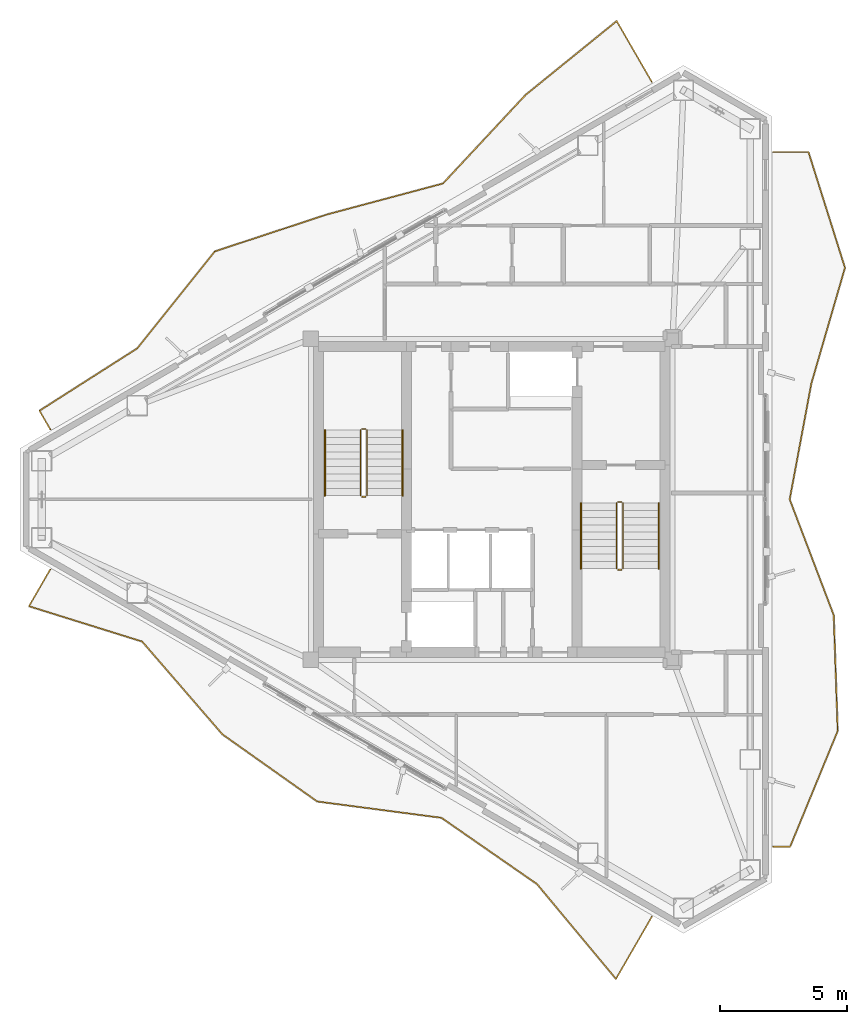
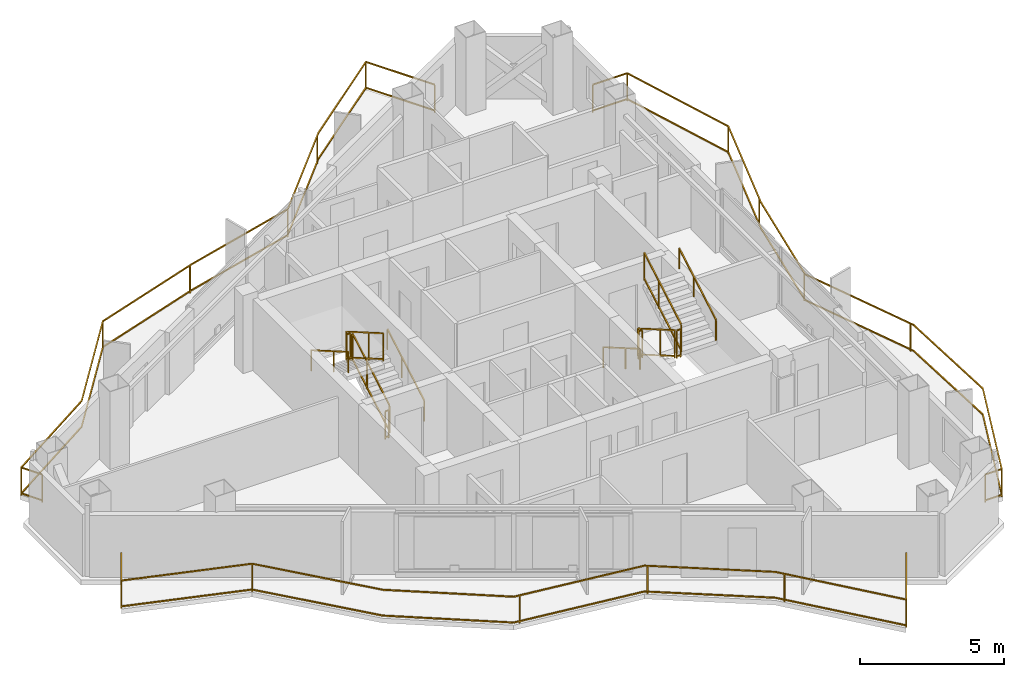
# One storey, part 18 of 18: 15 railings.
"""IFC4 building model written with IfcOpenShell, lengths in metres."""

from ifc_helpers import new_model, si_unit, direction, frame, origin, origin_2d, place, context, subcontext, project, spatial, rectangle, extrude, material, type_object, element, save


model = new_model("IFC4")

# Units and contexts
model_context = context("Model", 3, precision=1e-05, world=origin(), true_north=direction((0.0, 1.0)))
body_context = subcontext(model_context, "Body", "Model", "MODEL_VIEW")
ifc_project = project(units=[si_unit("LENGTHUNIT", "METRE"), si_unit("AREAUNIT", "SQUARE_METRE"), si_unit("VOLUMEUNIT", "CUBIC_METRE"), si_unit("PLANEANGLEUNIT", "RADIAN"), si_unit("MASSUNIT", "GRAM", prefix="KILO")], contexts=[model_context])

# Site, building, storey
site_placement = place(None, origin())
site = spatial("IfcSite", under=ifc_project, at=site_placement, CompositionType="ELEMENT")
building_placement = place(site_placement, origin())
building = spatial("IfcBuilding", under=site, at=building_placement, Name="Mersakhor Tower and Convention Hall", CompositionType="ELEMENT")
storey_placement = place(building_placement, frame((0.0, 0.0, 246.300048828125)))
storey = spatial("IfcBuildingStorey", under=building, at=storey_placement, Name="L69", CompositionType="ELEMENT", Elevation=246.300048828125)

# Railings
ifc_material_1 = material(Name="Powder-coated galvanised steel and laminated glass balustrade", Category="steel")
railing_type_1 = type_object("IfcRailingType", Name="RL-BAL-1200", PredefinedType="BALUSTRADE", material=ifc_material_1)
railing_1_placement = place(storey_placement, frame((35.287841796875, 43.13134765625, 0.0)))
element("IfcRailing", 1, at=railing_1_placement, inside=storey, type_object=railing_type_1, Name="L69 Sinusoidal Balcony Balustrade F1", PredefinedType="BALUSTRADE", context=body_context, shape_type="SweptSolid", body=[
    extrude(rectangle(XDim=0.048095703125, YDim=0.048095703125, at=origin_2d()), frame((0.0, 0.0, 1.17578125), z_axis=(-0.500008091576, 0.86602073206, 0.0), x_axis=(-0.86602073206, -0.500008091576, 0.0)), (0.0, 0.0, 1.0), 2.76220703125),
    extrude(rectangle(XDim=0.048095703125, YDim=0.048095703125, at=origin_2d()), frame((0.0, 0.0, 0.080078125), z_axis=(-0.500008091576, 0.86602073206, 0.0), x_axis=(-0.86602073206, -0.500008091576, 0.0)), (0.0, 0.0, 1.0), 2.76220703125),
    extrude(rectangle(XDim=0.048095703125, YDim=0.048095703125, at=origin_2d()), frame((-1.381103515625, 2.39208984375, 1.17578125), z_axis=(-0.77694088046, -0.629573560651, 0.0), x_axis=(0.629573560651, -0.77694088046, 0.0)), (0.0, 0.0, 1.0), 4.602294921875),
    extrude(rectangle(XDim=0.048095703125, YDim=0.048095703125, at=origin_2d()), frame((-1.381103515625, 2.39208984375, 0.080078125), z_axis=(-0.77694088046, -0.629573560651, 0.0), x_axis=(0.629573560651, -0.77694088046, 0.0)), (0.0, 0.0, 1.0), 4.602294921875),
    extrude(rectangle(XDim=0.048095703125, YDim=0.048095703125, at=origin_2d()), frame((-4.956787109375, -0.50537109375, 1.17578125), z_axis=(-0.681836808073, -0.731504317934, 0.0), x_axis=(0.731504317934, -0.681836808073, 0.0)), (0.0, 0.0, 1.0), 4.753173828125),
    extrude(rectangle(XDim=0.048095703125, YDim=0.048095703125, at=origin_2d()), frame((-4.956787109375, -0.50537109375, 0.080078125), z_axis=(-0.681836808073, -0.731504317934, 0.0), x_axis=(0.731504317934, -0.681836808073, 0.0)), (0.0, 0.0, 1.0), 4.753173828125),
    extrude(rectangle(XDim=0.048095703125, YDim=0.048095703125, at=origin_2d()), frame((-8.19775390625, -3.982421875, 1.17578125), z_axis=(-0.966160001104, -0.257943505959, 0.0), x_axis=(0.257943505959, -0.966160001104, 0.0)), (0.0, 0.0, 1.0), 4.706787109375),
    extrude(rectangle(XDim=0.048095703125, YDim=0.048095703125, at=origin_2d()), frame((-8.19775390625, -3.982421875, 0.080078125), z_axis=(-0.966160001104, -0.257943505959, 0.0), x_axis=(0.257943505959, -0.966160001104, 0.0)), (0.0, 0.0, 1.0), 4.706787109375),
    extrude(rectangle(XDim=0.048095703125, YDim=0.048095703125, at=origin_2d()), frame((-12.745361328125, -5.196533203125, 1.17578125), z_axis=(-0.949854506073, -0.312692208559, 0.0), x_axis=(0.312692208559, -0.949854506073, 0.0)), (0.0, 0.0, 1.0), 4.643310546875),
    extrude(rectangle(XDim=0.048095703125, YDim=0.048095703125, at=origin_2d()), frame((-12.745361328125, -5.196533203125, 0.080078125), z_axis=(-0.949854506073, -0.312692208559, 0.0), x_axis=(0.312692208559, -0.949854506073, 0.0)), (0.0, 0.0, 1.0), 4.643310546875),
    extrude(rectangle(XDim=0.048095703125, YDim=0.048095703125, at=origin_2d()), frame((-17.15576171875, -6.6484375, 1.17578125), z_axis=(-0.624896390139, -0.780707692796, 0.0), x_axis=(0.780707692796, -0.624896390139, 0.0)), (0.0, 0.0, 1.0), 4.87939453125),
    extrude(rectangle(XDim=0.048095703125, YDim=0.048095703125, at=origin_2d()), frame((-17.15576171875, -6.6484375, 0.080078125), z_axis=(-0.624896390139, -0.780707692796, 0.0), x_axis=(0.780707692796, -0.624896390139, 0.0)), (0.0, 0.0, 1.0), 4.87939453125),
    extrude(rectangle(XDim=0.048095703125, YDim=0.048095703125, at=origin_2d()), frame((-20.204833984375, -10.457763671875, 1.17578125), z_axis=(-0.843051114182, -0.537833449013, 0.0), x_axis=(0.537833449013, -0.843051114182, 0.0)), (0.0, 0.0, 1.0), 4.5498046875),
    extrude(rectangle(XDim=0.048095703125, YDim=0.048095703125, at=origin_2d()), frame((-20.204833984375, -10.457763671875, 0.080078125), z_axis=(-0.843051114182, -0.537833449013, 0.0), x_axis=(0.537833449013, -0.843051114182, 0.0)), (0.0, 0.0, 1.0), 4.5498046875),
    extrude(rectangle(XDim=0.048095703125, YDim=0.048095703125, at=origin_2d()), frame((-24.04052734375, -12.90478515625, 1.17578125), z_axis=(0.499964420222, -0.866045944804, 0.0), x_axis=(0.866045944804, 0.499964420222, 0.0)), (0.0, 0.0, 1.0), 0.84423828125),
    extrude(rectangle(XDim=0.048095703125, YDim=0.048095703125, at=origin_2d()), frame((-24.04052734375, -12.90478515625, 0.080078125), z_axis=(0.499964420222, -0.866045944804, 0.0), x_axis=(0.866045944804, 0.499964420222, 0.0)), (0.0, 0.0, 1.0), 0.84423828125),
    extrude(rectangle(XDim=0.0419921875, YDim=0.0419921875, at=origin_2d()), origin(), (0.0, 0.0, 1.0), 1.15185546875),
    extrude(rectangle(XDim=0.0419921875, YDim=0.0419921875, at=origin_2d()), frame((-1.381103515625, 2.39208984375, 0.0)), (0.0, 0.0, 1.0), 1.15185546875),
    extrude(rectangle(XDim=0.0419921875, YDim=0.0419921875, at=origin_2d()), frame((-5.091552734375, -0.64990234375, 0.0)), (0.0, 0.0, 1.0), 1.15185546875),
    extrude(rectangle(XDim=0.0419921875, YDim=0.0419921875, at=origin_2d()), frame((-8.19775390625, -3.982421875, 0.0)), (0.0, 0.0, 1.0), 1.15185546875),
    extrude(rectangle(XDim=0.0419921875, YDim=0.0419921875, at=origin_2d()), frame((-12.833740234375, -5.2255859375, 0.0)), (0.0, 0.0, 1.0), 1.15185546875),
    extrude(rectangle(XDim=0.0419921875, YDim=0.0419921875, at=origin_2d()), frame((-17.15576171875, -6.6484375, 0.0)), (0.0, 0.0, 1.0), 1.15185546875),
    extrude(rectangle(XDim=0.0419921875, YDim=0.0419921875, at=origin_2d()), frame((-24.04052734375, -12.90478515625, 0.0)), (0.0, 0.0, 1.0), 1.15185546875),
    extrude(rectangle(XDim=0.0419921875, YDim=0.0419921875, at=origin_2d()), frame((-23.618408203125, -13.635986328125, 0.0)), (0.0, 0.0, 1.0), 1.15185546875),
])
railing_2_placement = place(storey_placement, frame((40.042724609375, 13.114013671875, 0.0)))
element("IfcRailing", 2, at=railing_2_placement, inside=storey, type_object=railing_type_1, Name="L69 Sinusoidal Balcony Balustrade F2", PredefinedType="BALUSTRADE", context=body_context, shape_type="SweptSolid", body=[
    extrude(rectangle(XDim=0.048095703125, YDim=0.048095703125, at=origin_2d()), frame((0.0, 0.0, 1.17578125), z_axis=(1.0, 0.0, 0.0), x_axis=(0.0, 1.0, 0.0)), (0.0, 0.0, 1.0), 0.6669921875),
    extrude(rectangle(XDim=0.048095703125, YDim=0.048095703125, at=origin_2d()), frame((0.0, 0.0, 0.080078125), z_axis=(1.0, 0.0, 0.0), x_axis=(0.0, 1.0, 0.0)), (0.0, 0.0, 1.0), 0.6669921875),
    extrude(rectangle(XDim=0.048095703125, YDim=0.048095703125, at=origin_2d()), frame((0.6669921875, 0.0, 1.17578125), z_axis=(0.380162517163, 0.924919704917, 0.0), x_axis=(-0.924919704917, 0.380162517163, 0.0)), (0.0, 0.0, 1.0), 4.9140625),
    extrude(rectangle(XDim=0.048095703125, YDim=0.048095703125, at=origin_2d()), frame((0.6669921875, 0.0, 0.080078125), z_axis=(0.380162517163, 0.924919704917, 0.0), x_axis=(-0.924919704917, 0.380162517163, 0.0)), (0.0, 0.0, 1.0), 4.9140625),
    extrude(rectangle(XDim=0.048095703125, YDim=0.048095703125, at=origin_2d()), frame((2.53515625, 4.545166015625, 1.17578125), z_axis=(-0.034515891496, 0.999404149098, 0.0), x_axis=(-0.999404149098, -0.034515891496, 0.0)), (0.0, 0.0, 1.0), 4.548095703125),
    extrude(rectangle(XDim=0.048095703125, YDim=0.048095703125, at=origin_2d()), frame((2.53515625, 4.545166015625, 0.080078125), z_axis=(-0.034515891496, 0.999404149098, 0.0), x_axis=(-0.999404149098, -0.034515891496, 0.0)), (0.0, 0.0, 1.0), 4.548095703125),
    extrude(rectangle(XDim=0.048095703125, YDim=0.048095703125, at=origin_2d()), frame((2.378173828125, 9.090576171875, 1.17578125), z_axis=(-0.355356388498, 0.934730890232, 0.0), x_axis=(-0.934730890232, -0.355356388498, 0.0)), (0.0, 0.0, 1.0), 4.86279296875),
    extrude(rectangle(XDim=0.048095703125, YDim=0.048095703125, at=origin_2d()), frame((2.378173828125, 9.090576171875, 0.080078125), z_axis=(-0.355356388498, 0.934730890232, 0.0), x_axis=(-0.934730890232, -0.355356388498, 0.0)), (0.0, 0.0, 1.0), 4.86279296875),
    extrude(rectangle(XDim=0.048095703125, YDim=0.048095703125, at=origin_2d()), frame((0.650146484375, 13.635986328125, 1.17578125), z_axis=(0.183682822024, 0.982985564946, 0.0), x_axis=(-0.982985564946, 0.183682822024, 0.0)), (0.0, 0.0, 1.0), 4.6240234375),
    extrude(rectangle(XDim=0.048095703125, YDim=0.048095703125, at=origin_2d()), frame((0.650146484375, 13.635986328125, 0.080078125), z_axis=(0.183682822024, 0.982985564946, 0.0), x_axis=(-0.982985564946, 0.183682822024, 0.0)), (0.0, 0.0, 1.0), 4.6240234375),
    extrude(rectangle(XDim=0.048095703125, YDim=0.048095703125, at=origin_2d()), frame((1.49951171875, 18.181396484375, 1.17578125), z_axis=(0.278989725793, 0.960294086674, 0.0), x_axis=(-0.960294086674, 0.278989725793, 0.0)), (0.0, 0.0, 1.0), 4.7333984375),
    extrude(rectangle(XDim=0.048095703125, YDim=0.048095703125, at=origin_2d()), frame((1.49951171875, 18.181396484375, 0.080078125), z_axis=(0.278989725793, 0.960294086674, 0.0), x_axis=(-0.960294086674, 0.278989725793, 0.0)), (0.0, 0.0, 1.0), 4.7333984375),
    extrude(rectangle(XDim=0.048095703125, YDim=0.048095703125, at=origin_2d()), frame((2.820068359375, 22.726806640625, 1.17578125), z_axis=(-0.300709641219, 0.953715739452, 0.0), x_axis=(-0.953715739452, -0.300709641219, 0.0)), (0.0, 0.0, 1.0), 4.765625),
    extrude(rectangle(XDim=0.048095703125, YDim=0.048095703125, at=origin_2d()), frame((2.820068359375, 22.726806640625, 0.080078125), z_axis=(-0.300709641219, 0.953715739452, 0.0), x_axis=(-0.953715739452, -0.300709641219, 0.0)), (0.0, 0.0, 1.0), 4.765625),
    extrude(rectangle(XDim=0.048095703125, YDim=0.048095703125, at=origin_2d()), frame((1.386962890625, 27.27197265625, 1.17578125), z_axis=(-1.0, 0.0, 0.0), x_axis=(0.0, -1.0, 0.0)), (0.0, 0.0, 1.0), 1.386962890625),
    extrude(rectangle(XDim=0.048095703125, YDim=0.048095703125, at=origin_2d()), frame((1.386962890625, 27.27197265625, 0.080078125), z_axis=(-1.0, 0.0, 0.0), x_axis=(0.0, -1.0, 0.0)), (0.0, 0.0, 1.0), 1.386962890625),
    extrude(rectangle(XDim=0.0419921875, YDim=0.0419921875, at=origin_2d()), origin(), (0.0, 0.0, 1.0), 1.15185546875),
    extrude(rectangle(XDim=0.0419921875, YDim=0.0419921875, at=origin_2d()), frame((0.6669921875, 0.0, 0.0)), (0.0, 0.0, 1.0), 1.15185546875),
    extrude(rectangle(XDim=0.0419921875, YDim=0.0419921875, at=origin_2d()), frame((2.3291015625, 9.21923828125, 0.0)), (0.0, 0.0, 1.0), 1.15185546875),
    extrude(rectangle(XDim=0.0419921875, YDim=0.0419921875, at=origin_2d()), frame((0.663818359375, 13.709716796875, 0.0)), (0.0, 0.0, 1.0), 1.15185546875),
    extrude(rectangle(XDim=0.0419921875, YDim=0.0419921875, at=origin_2d()), frame((1.569580078125, 18.42236328125, 0.0)), (0.0, 0.0, 1.0), 1.15185546875),
    extrude(rectangle(XDim=0.0419921875, YDim=0.0419921875, at=origin_2d()), frame((2.820068359375, 22.726806640625, 0.0)), (0.0, 0.0, 1.0), 1.15185546875),
    extrude(rectangle(XDim=0.0419921875, YDim=0.0419921875, at=origin_2d()), frame((1.386962890625, 27.27197265625, 0.0)), (0.0, 0.0, 1.0), 1.15185546875),
    extrude(rectangle(XDim=0.0419921875, YDim=0.0419921875, at=origin_2d()), frame((0.0, 27.27197265625, 0.0)), (0.0, 0.0, 1.0), 1.15185546875),
])
railing_3_placement = place(storey_placement, frame((11.66943359375, 24.004638671875, 0.0)))
element("IfcRailing", 3, at=railing_3_placement, inside=storey, type_object=railing_type_1, Name="L69 Sinusoidal Balcony Balustrade F3", PredefinedType="BALUSTRADE", context=body_context, shape_type="SweptSolid", body=[
    extrude(rectangle(XDim=0.048095703125, YDim=0.048095703125, at=origin_2d()), frame((0.0, 0.0, 1.17578125), z_axis=(-0.500004926382, -0.866022559518, 0.0), x_axis=(0.866022559518, -0.500004926382, 0.0)), (0.0, 0.0, 1.0), 1.6708984375),
    extrude(rectangle(XDim=0.048095703125, YDim=0.048095703125, at=origin_2d()), frame((0.0, 0.0, 0.080078125), z_axis=(-0.500004926382, -0.866022559518, 0.0), x_axis=(0.866022559518, -0.500004926382, 0.0)), (0.0, 0.0, 1.0), 1.6708984375),
    extrude(rectangle(XDim=0.048095703125, YDim=0.048095703125, at=origin_2d()), frame((-0.83544921875, -1.447021484375, 1.17578125), z_axis=(0.954552686232, -0.298042227221, 0.0), x_axis=(0.298042227221, 0.954552686232, 0.0)), (0.0, 0.0, 1.0), 4.658447265625),
    extrude(rectangle(XDim=0.048095703125, YDim=0.048095703125, at=origin_2d()), frame((-0.83544921875, -1.447021484375, 0.080078125), z_axis=(0.954552686232, -0.298042227221, 0.0), x_axis=(0.298042227221, 0.954552686232, 0.0)), (0.0, 0.0, 1.0), 4.658447265625),
    extrude(rectangle(XDim=0.048095703125, YDim=0.048095703125, at=origin_2d()), frame((3.611328125, -2.83544921875, 1.17578125), z_axis=(0.654002867696, -0.756492068065, 0.0), x_axis=(0.756492068065, 0.654002867696, 0.0)), (0.0, 0.0, 1.0), 4.811767578125),
    extrude(rectangle(XDim=0.048095703125, YDim=0.048095703125, at=origin_2d()), frame((3.611328125, -2.83544921875, 0.080078125), z_axis=(0.654002867696, -0.756492068065, 0.0), x_axis=(0.756492068065, 0.654002867696, 0.0)), (0.0, 0.0, 1.0), 4.811767578125),
    extrude(rectangle(XDim=0.048095703125, YDim=0.048095703125, at=origin_2d()), frame((6.75830078125, -6.4755859375, 1.17578125), z_axis=(0.816086491147, -0.57792978723, 0.0), x_axis=(0.57792978723, 0.816086491147, 0.0)), (0.0, 0.0, 1.0), 4.56494140625),
    extrude(rectangle(XDim=0.048095703125, YDim=0.048095703125, at=origin_2d()), frame((6.75830078125, -6.4755859375, 0.080078125), z_axis=(0.816086491147, -0.57792978723, 0.0), x_axis=(0.57792978723, 0.816086491147, 0.0)), (0.0, 0.0, 1.0), 4.56494140625),
    extrude(rectangle(XDim=0.048095703125, YDim=0.048095703125, at=origin_2d()), frame((10.483642578125, -9.11376953125, 1.17578125), z_axis=(0.991474887142, -0.13029792081, 0.0), x_axis=(0.13029792081, 0.991474887142, 0.0)), (0.0, 0.0, 1.0), 4.92041015625),
    extrude(rectangle(XDim=0.048095703125, YDim=0.048095703125, at=origin_2d()), frame((10.483642578125, -9.11376953125, 0.080078125), z_axis=(0.991474887142, -0.13029792081, 0.0), x_axis=(0.13029792081, 0.991474887142, 0.0)), (0.0, 0.0, 1.0), 4.92041015625),
    extrude(rectangle(XDim=0.048095703125, YDim=0.048095703125, at=origin_2d()), frame((15.362060546875, -9.7548828125, 1.17578125), z_axis=(0.821528758688, -0.57016707959, 0.0), x_axis=(0.57016707959, 0.821528758688, 0.0)), (0.0, 0.0, 1.0), 4.56103515625),
    extrude(rectangle(XDim=0.048095703125, YDim=0.048095703125, at=origin_2d()), frame((15.362060546875, -9.7548828125, 0.080078125), z_axis=(0.821528758688, -0.57016707959, 0.0), x_axis=(0.57016707959, 0.821528758688, 0.0)), (0.0, 0.0, 1.0), 4.56103515625),
    extrude(rectangle(XDim=0.048095703125, YDim=0.048095703125, at=origin_2d()), frame((19.109130859375, -12.35546875, 1.17578125), z_axis=(0.639807544378, -0.768535169109, 0.0), x_axis=(0.768535169109, 0.639807544378, 0.0)), (0.0, 0.0, 1.0), 4.84375),
    extrude(rectangle(XDim=0.048095703125, YDim=0.048095703125, at=origin_2d()), frame((19.109130859375, -12.35546875, 0.080078125), z_axis=(0.639807544378, -0.768535169109, 0.0), x_axis=(0.768535169109, 0.639807544378, 0.0)), (0.0, 0.0, 1.0), 4.84375),
    extrude(rectangle(XDim=0.048095703125, YDim=0.048095703125, at=origin_2d()), frame((22.208251953125, -16.078125, 1.17578125), z_axis=(0.500049687543, 0.865996714767, 0.0), x_axis=(-0.865996714767, 0.500049687543, 0.0)), (0.0, 0.0, 1.0), 2.820068359375),
    extrude(rectangle(XDim=0.048095703125, YDim=0.048095703125, at=origin_2d()), frame((22.208251953125, -16.078125, 0.080078125), z_axis=(0.500049687543, 0.865996714767, 0.0), x_axis=(-0.865996714767, 0.500049687543, 0.0)), (0.0, 0.0, 1.0), 2.820068359375),
    extrude(rectangle(XDim=0.0419921875, YDim=0.0419921875, at=origin_2d()), origin(), (0.0, 0.0, 1.0), 1.15185546875),
    extrude(rectangle(XDim=0.0419921875, YDim=0.0419921875, at=origin_2d()), frame((-0.83544921875, -1.447021484375, 0.0)), (0.0, 0.0, 1.0), 1.15185546875),
    extrude(rectangle(XDim=0.0419921875, YDim=0.0419921875, at=origin_2d()), frame((3.611328125, -2.83544921875, 0.0)), (0.0, 0.0, 1.0), 1.15185546875),
    extrude(rectangle(XDim=0.0419921875, YDim=0.0419921875, at=origin_2d()), frame((10.705078125, -9.142822265625, 0.0)), (0.0, 0.0, 1.0), 1.15185546875),
    extrude(rectangle(XDim=0.0419921875, YDim=0.0419921875, at=origin_2d()), frame((15.446533203125, -9.8134765625, 0.0)), (0.0, 0.0, 1.0), 1.15185546875),
    extrude(rectangle(XDim=0.0419921875, YDim=0.0419921875, at=origin_2d()), frame((19.327880859375, -12.6181640625, 0.0)), (0.0, 0.0, 1.0), 1.15185546875),
    extrude(rectangle(XDim=0.0419921875, YDim=0.0419921875, at=origin_2d()), frame((22.208251953125, -16.078125, 0.0)), (0.0, 0.0, 1.0), 1.15185546875),
    extrude(rectangle(XDim=0.0419921875, YDim=0.0419921875, at=origin_2d()), frame((23.618408203125, -13.635986328125, 0.0)), (0.0, 0.0, 1.0), 1.15185546875),
])
ifc_material_2 = material(Name="Brushed stainless steel handrail", Category="steel")
railing_type_2 = type_object("IfcRailingType", Name="RL-HR-900", PredefinedType="HANDRAIL", material=ifc_material_2)
railing_4_placement = place(storey_placement, frame((25.5, 26.89990234375, 0.1650390625)))
element("IfcRailing", 4, at=railing_4_placement, inside=storey, type_object=railing_type_2, Name="L69 ST-1 stair handrail 1", PredefinedType="HANDRAIL", context=body_context, shape_type="SweptSolid", body=[
    extrude(rectangle(XDim=0.048095703125, YDim=0.048095703125, at=origin_2d()), frame((0.0, 0.0, 0.8759765625), z_axis=(0.0, 0.865461999751, 0.500974577186), x_axis=(-1.0, 0.0, 0.0)), (0.0, 0.0, 1.0), 2.9638671875),
    extrude(rectangle(XDim=0.0419921875, YDim=0.0419921875, at=origin_2d()), origin(), (0.0, 0.0, 1.0), 0.851806640625),
    extrude(rectangle(XDim=0.0419921875, YDim=0.0419921875, at=origin_2d()), frame((0.0, 1.557861328125, 0.90185546875)), (0.0, 0.0, 1.0), 0.851806640625),
    extrude(rectangle(XDim=0.0419921875, YDim=0.0419921875, at=origin_2d()), frame((0.0, 2.565185546875, 1.48486328125)), (0.0, 0.0, 1.0), 0.851806640625),
])
railing_5_placement = place(storey_placement, frame((22.449951171875, 29.465087890625, 1.81494140625)))
element("IfcRailing", 5, at=railing_5_placement, inside=storey, type_object=railing_type_2, Name="L69 ST-1 stair handrail 2", PredefinedType="HANDRAIL", context=body_context, shape_type="SweptSolid", body=[
    extrude(rectangle(XDim=0.048095703125, YDim=0.048095703125, at=origin_2d()), frame((0.0, 0.0, 0.8759765625), z_axis=(0.0, -0.865426285481, 0.501036270542), x_axis=(1.0, 0.0, 0.0)), (0.0, 0.0, 1.0), 2.964111328125),
    extrude(rectangle(XDim=0.0419921875, YDim=0.0419921875, at=origin_2d()), origin(), (0.0, 0.0, 1.0), 0.851806640625),
    extrude(rectangle(XDim=0.0419921875, YDim=0.0419921875, at=origin_2d()), frame((0.0, -1.557861328125, 0.90185546875)), (0.0, 0.0, 1.0), 0.851806640625),
    extrude(rectangle(XDim=0.0419921875, YDim=0.0419921875, at=origin_2d()), frame((0.0, -2.565185546875, 1.485107421875)), (0.0, 0.0, 1.0), 0.851806640625),
])
railing_6_placement = place(storey_placement, frame((32.5, 26.60009765625, 0.1650390625)))
element("IfcRailing", 6, at=railing_6_placement, inside=storey, type_object=railing_type_2, Name="L69 ST-2 stair handrail 1", PredefinedType="HANDRAIL", context=body_context, shape_type="SweptSolid", body=[
    extrude(rectangle(XDim=0.048095703125, YDim=0.048095703125, at=origin_2d()), frame((0.0, 0.0, 0.8759765625), z_axis=(0.0, -0.865461999751, 0.500974577186), x_axis=(1.0, 0.0, 0.0)), (0.0, 0.0, 1.0), 2.9638671875),
    extrude(rectangle(XDim=0.0419921875, YDim=0.0419921875, at=origin_2d()), origin(), (0.0, 0.0, 1.0), 0.851806640625),
    extrude(rectangle(XDim=0.0419921875, YDim=0.0419921875, at=origin_2d()), frame((0.0, -1.557861328125, 0.90185546875)), (0.0, 0.0, 1.0), 0.851806640625),
    extrude(rectangle(XDim=0.0419921875, YDim=0.0419921875, at=origin_2d()), frame((0.0, -2.565185546875, 1.48486328125)), (0.0, 0.0, 1.0), 0.851806640625),
])
railing_7_placement = place(storey_placement, frame((35.550048828125, 24.034912109375, 1.81494140625)))
element("IfcRailing", 7, at=railing_7_placement, inside=storey, type_object=railing_type_2, Name="L69 ST-2 stair handrail 2", PredefinedType="HANDRAIL", context=body_context, shape_type="SweptSolid", body=[
    extrude(rectangle(XDim=0.048095703125, YDim=0.048095703125, at=origin_2d()), frame((0.0, 0.0, 0.8759765625), z_axis=(0.0, 0.865426285481, 0.501036270542), x_axis=(-1.0, 0.0, 0.0)), (0.0, 0.0, 1.0), 2.964111328125),
    extrude(rectangle(XDim=0.0419921875, YDim=0.0419921875, at=origin_2d()), origin(), (0.0, 0.0, 1.0), 0.851806640625),
    extrude(rectangle(XDim=0.0419921875, YDim=0.0419921875, at=origin_2d()), frame((0.0, 1.557861328125, 0.90185546875)), (0.0, 0.0, 1.0), 0.851806640625),
    extrude(rectangle(XDim=0.0419921875, YDim=0.0419921875, at=origin_2d()), frame((0.0, 2.565185546875, 1.485107421875)), (0.0, 0.0, 1.0), 0.851806640625),
])
ifc_material_3 = material(Name="Painted steel stair balustrade S355", Category="steel")
railing_type_3 = type_object("IfcRailingType", Name="RL-STG-1200", PredefinedType="BALUSTRADE", material=ifc_material_3)
railing_8_placement = place(storey_placement, frame((24.10009765625, 26.89990234375, 0.1650390625)))
element("IfcRailing", 8, at=railing_8_placement, inside=storey, type_object=railing_type_3, Name="L69 ST-1 stair guard 1", PredefinedType="BALUSTRADE", context=body_context, shape_type="SweptSolid", body=[
    extrude(rectangle(XDim=0.048095703125, YDim=0.048095703125, at=origin_2d()), frame((0.0, 0.0, 1.17578125), z_axis=(0.0, 0.865461999751, 0.500974577186), x_axis=(-1.0, 0.0, 0.0)), (0.0, 0.0, 1.0), 2.9638671875),
    extrude(rectangle(XDim=0.048095703125, YDim=0.048095703125, at=origin_2d()), frame((0.0, 0.0, 0.080078125), z_axis=(0.0, 0.865461999751, 0.500974577186), x_axis=(-1.0, 0.0, 0.0)), (0.0, 0.0, 1.0), 2.9638671875),
    extrude(rectangle(XDim=0.0419921875, YDim=0.0419921875, at=origin_2d()), origin(), (0.0, 0.0, 1.0), 1.15185546875),
    extrude(rectangle(XDim=0.0419921875, YDim=0.0419921875, at=origin_2d()), frame((0.0, 1.557861328125, 0.90185546875)), (0.0, 0.0, 1.0), 1.15185546875),
    extrude(rectangle(XDim=0.0419921875, YDim=0.0419921875, at=origin_2d()), frame((0.0, 2.565185546875, 1.48486328125)), (0.0, 0.0, 1.0), 1.15185546875),
])
railing_9_placement = place(storey_placement, frame((24.050048828125, 29.514892578125, 1.64990234375)))
element("IfcRailing", 9, at=railing_9_placement, inside=storey, type_object=railing_type_3, Name="L69 ST-1 stair guard 2", PredefinedType="BALUSTRADE", context=body_context, shape_type="SweptSolid", body=[
    extrude(rectangle(XDim=0.048095703125, YDim=0.048095703125, at=origin_2d()), frame((0.0, 0.0, 1.17578125), z_axis=(-1.0, 0.0, 0.0), x_axis=(0.0, -1.0, 0.0)), (0.0, 0.0, 1.0), 0.150146484375),
    extrude(rectangle(XDim=0.048095703125, YDim=0.048095703125, at=origin_2d()), frame((0.0, 0.0, 0.080078125), z_axis=(-1.0, 0.0, 0.0), x_axis=(0.0, -1.0, 0.0)), (0.0, 0.0, 1.0), 0.150146484375),
    extrude(rectangle(XDim=0.0419921875, YDim=0.0419921875, at=origin_2d()), origin(), (0.0, 0.0, 1.0), 1.15185546875),
    extrude(rectangle(XDim=0.0419921875, YDim=0.0419921875, at=origin_2d()), frame((-0.150146484375, 0.0, 0.0)), (0.0, 0.0, 1.0), 1.15185546875),
])
railing_10_placement = place(storey_placement, frame((23.85009765625, 29.465087890625, 1.81494140625)))
element("IfcRailing", 10, at=railing_10_placement, inside=storey, type_object=railing_type_3, Name="L69 ST-1 stair guard 3", PredefinedType="BALUSTRADE", context=body_context, shape_type="SweptSolid", body=[
    extrude(rectangle(XDim=0.048095703125, YDim=0.048095703125, at=origin_2d()), frame((0.0, 0.0, 1.17578125), z_axis=(0.0, -0.865426285481, 0.501036270542), x_axis=(1.0, 0.0, 0.0)), (0.0, 0.0, 1.0), 2.964111328125),
    extrude(rectangle(XDim=0.048095703125, YDim=0.048095703125, at=origin_2d()), frame((0.0, 0.0, 0.080078125), z_axis=(0.0, -0.865426285481, 0.501036270542), x_axis=(1.0, 0.0, 0.0)), (0.0, 0.0, 1.0), 2.964111328125),
    extrude(rectangle(XDim=0.0419921875, YDim=0.0419921875, at=origin_2d()), origin(), (0.0, 0.0, 1.0), 1.15185546875),
    extrude(rectangle(XDim=0.0419921875, YDim=0.0419921875, at=origin_2d()), frame((0.0, -1.557861328125, 0.90185546875)), (0.0, 0.0, 1.0), 1.15185546875),
    extrude(rectangle(XDim=0.0419921875, YDim=0.0419921875, at=origin_2d()), frame((0.0, -2.565185546875, 1.485107421875)), (0.0, 0.0, 1.0), 1.15185546875),
])
railing_11_placement = place(storey_placement, frame((24.050048828125, 26.85009765625, 0.0)))
element("IfcRailing", 11, at=railing_11_placement, inside=storey, type_object=railing_type_3, Name="L69 ST-1 stair guard 4", PredefinedType="BALUSTRADE", context=body_context, shape_type="SweptSolid", body=[
    extrude(rectangle(XDim=0.048095703125, YDim=0.048095703125, at=origin_2d()), frame((0.0, 0.0, 1.17578125), z_axis=(-1.0, 0.0, 0.0), x_axis=(0.0, -1.0, 0.0)), (0.0, 0.0, 1.0), 0.150146484375),
    extrude(rectangle(XDim=0.048095703125, YDim=0.048095703125, at=origin_2d()), frame((0.0, 0.0, 0.080078125), z_axis=(-1.0, 0.0, 0.0), x_axis=(0.0, -1.0, 0.0)), (0.0, 0.0, 1.0), 0.150146484375),
    extrude(rectangle(XDim=0.0419921875, YDim=0.0419921875, at=origin_2d()), origin(), (0.0, 0.0, 1.0), 1.15185546875),
    extrude(rectangle(XDim=0.0419921875, YDim=0.0419921875, at=origin_2d()), frame((-0.150146484375, 0.0, 0.0)), (0.0, 0.0, 1.0), 1.15185546875),
])
railing_12_placement = place(storey_placement, frame((33.89990234375, 26.60009765625, 0.1650390625)))
element("IfcRailing", 12, at=railing_12_placement, inside=storey, type_object=railing_type_3, Name="L69 ST-2 stair guard 1", PredefinedType="BALUSTRADE", context=body_context, shape_type="SweptSolid", body=[
    extrude(rectangle(XDim=0.048095703125, YDim=0.048095703125, at=origin_2d()), frame((0.0, 0.0, 1.17578125), z_axis=(0.0, -0.865461999751, 0.500974577186), x_axis=(1.0, 0.0, 0.0)), (0.0, 0.0, 1.0), 2.9638671875),
    extrude(rectangle(XDim=0.048095703125, YDim=0.048095703125, at=origin_2d()), frame((0.0, 0.0, 0.080078125), z_axis=(0.0, -0.865461999751, 0.500974577186), x_axis=(1.0, 0.0, 0.0)), (0.0, 0.0, 1.0), 2.9638671875),
    extrude(rectangle(XDim=0.0419921875, YDim=0.0419921875, at=origin_2d()), origin(), (0.0, 0.0, 1.0), 1.15185546875),
    extrude(rectangle(XDim=0.0419921875, YDim=0.0419921875, at=origin_2d()), frame((0.0, -1.557861328125, 0.90185546875)), (0.0, 0.0, 1.0), 1.15185546875),
    extrude(rectangle(XDim=0.0419921875, YDim=0.0419921875, at=origin_2d()), frame((0.0, -2.565185546875, 1.48486328125)), (0.0, 0.0, 1.0), 1.15185546875),
])
railing_13_placement = place(storey_placement, frame((33.949951171875, 23.985107421875, 1.64990234375)))
element("IfcRailing", 13, at=railing_13_placement, inside=storey, type_object=railing_type_3, Name="L69 ST-2 stair guard 2", PredefinedType="BALUSTRADE", context=body_context, shape_type="SweptSolid", body=[
    extrude(rectangle(XDim=0.048095703125, YDim=0.048095703125, at=origin_2d()), frame((0.0, 0.0, 1.17578125), z_axis=(1.0, 0.0, 0.0), x_axis=(0.0, 1.0, 0.0)), (0.0, 0.0, 1.0), 0.150146484375),
    extrude(rectangle(XDim=0.048095703125, YDim=0.048095703125, at=origin_2d()), frame((0.0, 0.0, 0.080078125), z_axis=(1.0, 0.0, 0.0), x_axis=(0.0, 1.0, 0.0)), (0.0, 0.0, 1.0), 0.150146484375),
    extrude(rectangle(XDim=0.0419921875, YDim=0.0419921875, at=origin_2d()), origin(), (0.0, 0.0, 1.0), 1.15185546875),
    extrude(rectangle(XDim=0.0419921875, YDim=0.0419921875, at=origin_2d()), frame((0.150146484375, 0.0, 0.0)), (0.0, 0.0, 1.0), 1.15185546875),
])
railing_14_placement = place(storey_placement, frame((34.14990234375, 24.034912109375, 1.81494140625)))
element("IfcRailing", 14, at=railing_14_placement, inside=storey, type_object=railing_type_3, Name="L69 ST-2 stair guard 3", PredefinedType="BALUSTRADE", context=body_context, shape_type="SweptSolid", body=[
    extrude(rectangle(XDim=0.048095703125, YDim=0.048095703125, at=origin_2d()), frame((0.0, 0.0, 1.17578125), z_axis=(0.0, 0.865426285481, 0.501036270542), x_axis=(-1.0, 0.0, 0.0)), (0.0, 0.0, 1.0), 2.964111328125),
    extrude(rectangle(XDim=0.048095703125, YDim=0.048095703125, at=origin_2d()), frame((0.0, 0.0, 0.080078125), z_axis=(0.0, 0.865426285481, 0.501036270542), x_axis=(-1.0, 0.0, 0.0)), (0.0, 0.0, 1.0), 2.964111328125),
    extrude(rectangle(XDim=0.0419921875, YDim=0.0419921875, at=origin_2d()), origin(), (0.0, 0.0, 1.0), 1.15185546875),
    extrude(rectangle(XDim=0.0419921875, YDim=0.0419921875, at=origin_2d()), frame((0.0, 1.557861328125, 0.90185546875)), (0.0, 0.0, 1.0), 1.15185546875),
    extrude(rectangle(XDim=0.0419921875, YDim=0.0419921875, at=origin_2d()), frame((0.0, 2.565185546875, 1.485107421875)), (0.0, 0.0, 1.0), 1.15185546875),
])
railing_15_placement = place(storey_placement, frame((33.949951171875, 26.64990234375, 0.0)))
element("IfcRailing", 15, at=railing_15_placement, inside=storey, type_object=railing_type_3, Name="L69 ST-2 stair guard 4", PredefinedType="BALUSTRADE", context=body_context, shape_type="SweptSolid", body=[
    extrude(rectangle(XDim=0.048095703125, YDim=0.048095703125, at=origin_2d()), frame((0.0, 0.0, 1.17578125), z_axis=(1.0, 0.0, 0.0), x_axis=(0.0, 1.0, 0.0)), (0.0, 0.0, 1.0), 0.150146484375),
    extrude(rectangle(XDim=0.048095703125, YDim=0.048095703125, at=origin_2d()), frame((0.0, 0.0, 0.080078125), z_axis=(1.0, 0.0, 0.0), x_axis=(0.0, 1.0, 0.0)), (0.0, 0.0, 1.0), 0.150146484375),
    extrude(rectangle(XDim=0.0419921875, YDim=0.0419921875, at=origin_2d()), origin(), (0.0, 0.0, 1.0), 1.15185546875),
    extrude(rectangle(XDim=0.0419921875, YDim=0.0419921875, at=origin_2d()), frame((0.150146484375, 0.0, 0.0)), (0.0, 0.0, 1.0), 1.15185546875),
])

save(model, "model.ifc")
